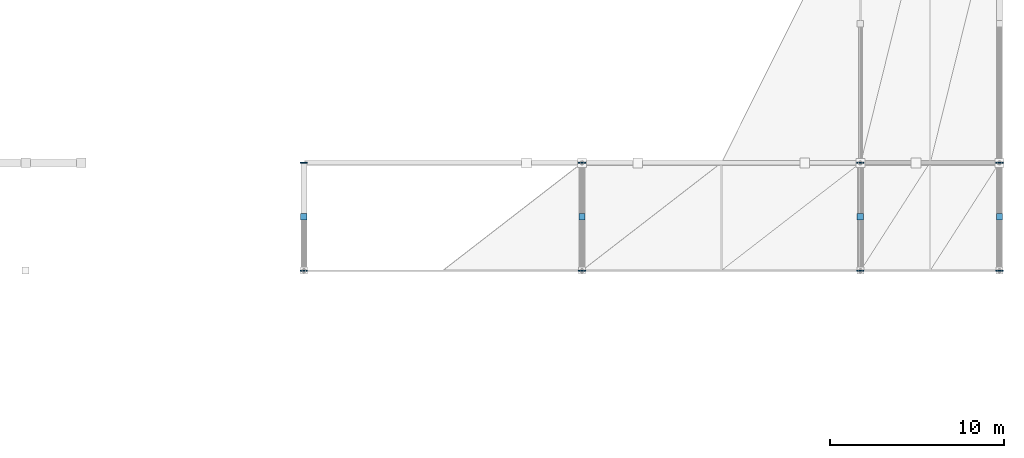
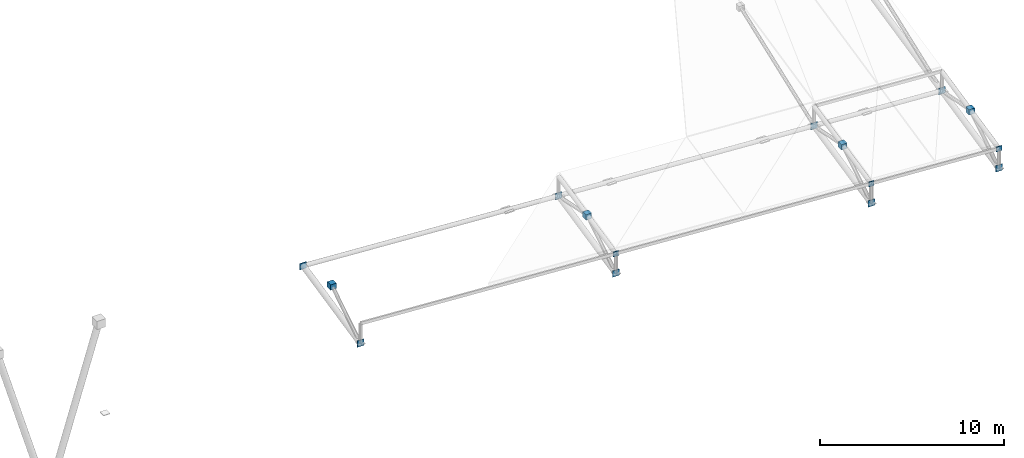
# One storey, part 72 of 83: 15 discrete accessories.
"""IFC4 building model written with IfcOpenShell, lengths in metres."""

from ifc_helpers import new_model, si_unit, direction, frame, origin, origin_2d, place, context, subcontext, project, spatial, rectangle, extrude, material, type_object, element, save


model = new_model("IFC4")

# Units and contexts
model_context = context("Model", 3, precision=1e-05, world=origin(), true_north=direction((0.0, 1.0)))
body_context = subcontext(model_context, "Body", "Model", "MODEL_VIEW")
ifc_project = project(units=[si_unit("LENGTHUNIT", "METRE"), si_unit("AREAUNIT", "SQUARE_METRE"), si_unit("VOLUMEUNIT", "CUBIC_METRE"), si_unit("PLANEANGLEUNIT", "RADIAN"), si_unit("MASSUNIT", "GRAM", prefix="KILO")], contexts=[model_context])

# Site, building, storey
site_placement = place(None, origin())
site = spatial("IfcSite", under=ifc_project, at=site_placement, CompositionType="ELEMENT")
building_placement = place(site_placement, origin())
building = spatial("IfcBuilding", under=site, at=building_placement, Name="Drelvath Fold Interchange", CompositionType="ELEMENT")
storey_placement = place(building_placement, frame((0.0, 0.0, 11.199951171875)))
storey = spatial("IfcBuildingStorey", under=building, at=storey_placement, Name="L02", CompositionType="ELEMENT", Elevation=11.199951171875)

# Discrete accessories
ifc_material = material(Name="Steel ASTM A572 Grade 50", Category="steel")
discrete_accessory_type = type_object("IfcDiscreteAccessoryType", Name="AC-CAP380", PredefinedType="BRACKET", material=ifc_material)
for number, where, z_axis, x_axis, name in (
    (1, (134.0, 20.794921875, 3.01416015625), (0.0, 0.0, 1.0), (1.0, 0.0, 0.0), "Welded hollow member end cap 214"),
    (2, (134.0, 27.0048828125, 4.367919921875), (0.0, 0.0, 1.0), (1.0, 0.0, 0.0), "Welded hollow member end cap 215"),
):
    element("IfcDiscreteAccessory", number, at=place(storey_placement, frame(where, z_axis=z_axis, x_axis=x_axis)), inside=storey, type_object=discrete_accessory_type, Name=name, PredefinedType="BRACKET", context=body_context, shape_type="SweptSolid", body=[
        extrude(rectangle(XDim=0.416015625, YDim=0.0400390625, at=origin_2d()), origin(), (0.0, 0.0, 1.0), 0.416015625),
    ])
discrete_accessory_1_placement = place(storey_placement, frame((134.0, 23.904052734375, 4.99267578125), z_axis=(0.0, 0.0, 1.0), x_axis=(1.0, 0.0, 0.0)))
element("IfcDiscreteAccessory", 3, at=discrete_accessory_1_placement, inside=storey, type_object=discrete_accessory_type, Name="Welded hollow member end cap 217", PredefinedType="BRACKET", context=body_context, shape_type="SweptSolid", body=[
    extrude(rectangle(XDim=0.35888671875, YDim=0.35888671875, at=origin_2d()), origin(), (0.0, 0.0, 1.0), 0.35888671875),
])
for number, where, z_axis, x_axis, name in (
    (4, (150.0, 20.794921875, 2.052001953125), (0.0, 0.0, 1.0), (1.0, 0.0, 0.0), "Welded hollow member end cap 230"),
    (5, (150.0, 27.0048828125, 3.405029296875), (0.0, 0.0, 1.0), (1.0, 0.0, 0.0), "Welded hollow member end cap 231"),
):
    element("IfcDiscreteAccessory", number, at=place(storey_placement, frame(where, z_axis=z_axis, x_axis=x_axis)), inside=storey, type_object=discrete_accessory_type, Name=name, PredefinedType="BRACKET", context=body_context, shape_type="SweptSolid", body=[
        extrude(rectangle(XDim=0.416015625, YDim=0.0400390625, at=origin_2d()), origin(), (0.0, 0.0, 1.0), 0.416015625),
    ])
discrete_accessory_2_placement = place(storey_placement, frame((150.0, 20.794921875, 3.363525390625), z_axis=(0.0, 0.0, 1.0), x_axis=(1.0, 0.0, 0.0)))
element("IfcDiscreteAccessory", 6, at=discrete_accessory_2_placement, inside=storey, type_object=discrete_accessory_type, Name="Welded hollow member end cap 232", PredefinedType="BRACKET", context=body_context, shape_type="SweptSolid", body=[
    extrude(rectangle(XDim=0.3330078125, YDim=0.0400390625, at=origin_2d()), origin(), (0.0, 0.0, 1.0), 0.3330078125),
])
discrete_accessory_3_placement = place(storey_placement, frame((150.0, 23.904052734375, 4.030517578125), z_axis=(0.0, 0.0, 1.0), x_axis=(1.0, 0.0, 0.0)))
element("IfcDiscreteAccessory", 7, at=discrete_accessory_3_placement, inside=storey, type_object=discrete_accessory_type, Name="Welded hollow member end cap 233", PredefinedType="BRACKET", context=body_context, shape_type="SweptSolid", body=[
    extrude(rectangle(XDim=0.35888671875, YDim=0.35888671875, at=origin_2d()), origin(), (0.0, 0.0, 1.0), 0.35888671875),
])
for number, where, z_axis, x_axis, name in (
    (8, (166.0, 20.794921875, 1.090087890625), (0.0, 0.0, 1.0), (1.0, 0.0, 0.0), "Welded hollow member end cap 246"),
    (9, (166.0, 27.0048828125, 2.443115234375), (0.0, 0.0, 1.0), (1.0, 0.0, 0.0), "Welded hollow member end cap 247"),
):
    element("IfcDiscreteAccessory", number, at=place(storey_placement, frame(where, z_axis=z_axis, x_axis=x_axis)), inside=storey, type_object=discrete_accessory_type, Name=name, PredefinedType="BRACKET", context=body_context, shape_type="SweptSolid", body=[
        extrude(rectangle(XDim=0.416015625, YDim=0.0400390625, at=origin_2d()), origin(), (0.0, 0.0, 1.0), 0.416015625),
    ])
discrete_accessory_4_placement = place(storey_placement, frame((166.0, 20.794921875, 2.401611328125), z_axis=(0.0, 0.0, 1.0), x_axis=(1.0, 0.0, 0.0)))
element("IfcDiscreteAccessory", 10, at=discrete_accessory_4_placement, inside=storey, type_object=discrete_accessory_type, Name="Welded hollow member end cap 248", PredefinedType="BRACKET", context=body_context, shape_type="SweptSolid", body=[
    extrude(rectangle(XDim=0.3330078125, YDim=0.0400390625, at=origin_2d()), origin(), (0.0, 0.0, 1.0), 0.3330078125),
])
discrete_accessory_5_placement = place(storey_placement, frame((166.0, 23.904052734375, 3.068603515625), z_axis=(0.0, 0.0, 1.0), x_axis=(1.0, 0.0, 0.0)))
element("IfcDiscreteAccessory", 11, at=discrete_accessory_5_placement, inside=storey, type_object=discrete_accessory_type, Name="Welded hollow member end cap 249", PredefinedType="BRACKET", context=body_context, shape_type="SweptSolid", body=[
    extrude(rectangle(XDim=0.35888671875, YDim=0.35888671875, at=origin_2d()), origin(), (0.0, 0.0, 1.0), 0.35888671875),
])
for number, where, z_axis, x_axis, name in (
    (12, (174.0, 20.794921875, 0.608154296875), (0.0, 0.0, 1.0), (1.0, 0.0, 0.0), "Welded hollow member end cap 262"),
    (13, (174.0, 27.0048828125, 1.962158203125), (0.0, 0.0, 1.0), (1.0, 0.0, 0.0), "Welded hollow member end cap 263"),
):
    element("IfcDiscreteAccessory", number, at=place(storey_placement, frame(where, z_axis=z_axis, x_axis=x_axis)), inside=storey, type_object=discrete_accessory_type, Name=name, PredefinedType="BRACKET", context=body_context, shape_type="SweptSolid", body=[
        extrude(rectangle(XDim=0.416015625, YDim=0.0400390625, at=origin_2d()), origin(), (0.0, 0.0, 1.0), 0.416015625),
    ])
discrete_accessory_6_placement = place(storey_placement, frame((174.0, 20.794921875, 1.91943359375), z_axis=(0.0, 0.0, 1.0), x_axis=(1.0, 0.0, 0.0)))
element("IfcDiscreteAccessory", 14, at=discrete_accessory_6_placement, inside=storey, type_object=discrete_accessory_type, Name="Welded hollow member end cap 264", PredefinedType="BRACKET", context=body_context, shape_type="SweptSolid", body=[
    extrude(rectangle(XDim=0.3330078125, YDim=0.0400390625, at=origin_2d()), origin(), (0.0, 0.0, 1.0), 0.3330078125),
])
discrete_accessory_7_placement = place(storey_placement, frame((174.0, 23.904052734375, 2.586669921875), z_axis=(0.0, 0.0, 1.0), x_axis=(1.0, 0.0, 0.0)))
element("IfcDiscreteAccessory", 15, at=discrete_accessory_7_placement, inside=storey, type_object=discrete_accessory_type, Name="Welded hollow member end cap 265", PredefinedType="BRACKET", context=body_context, shape_type="SweptSolid", body=[
    extrude(rectangle(XDim=0.35888671875, YDim=0.35888671875, at=origin_2d()), origin(), (0.0, 0.0, 1.0), 0.35888671875),
])

save(model, "model.ifc")
